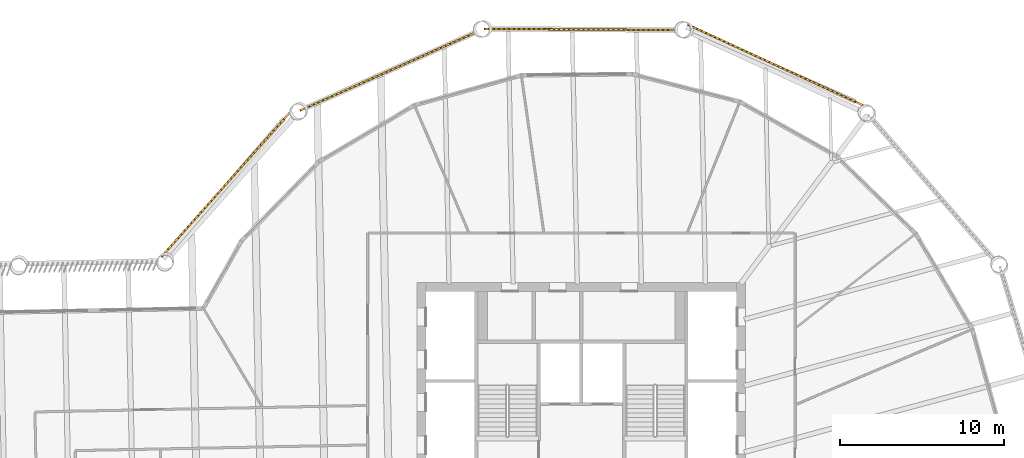
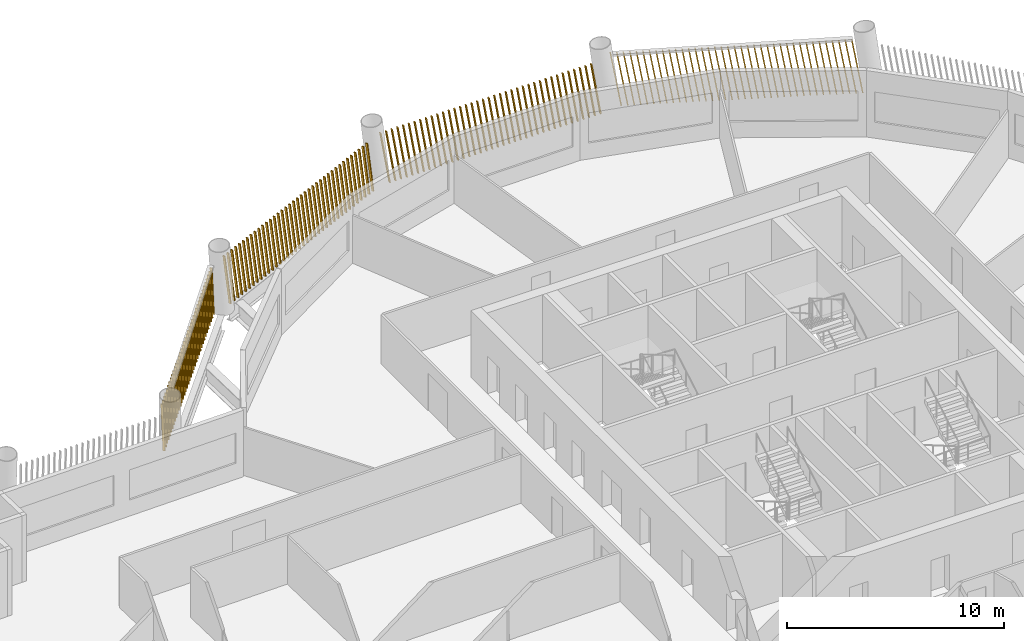
# One storey, part 14 of 15: 4 shading devices.
"""IFC4 building model written with IfcOpenShell, lengths in metres."""

from ifc_helpers import new_model, si_unit, direction, frame, frame_2d, origin, place, context, subcontext, project, spatial, rectangle, composite_profile, extrude, material, type_object, element, save


model = new_model("IFC4")

# Units and contexts
model_context = context("Model", 3, precision=1e-05, world=origin(), true_north=direction((0.0, 1.0)))
body_context = subcontext(model_context, "Body", "Model", "MODEL_VIEW")
ifc_project = project(units=[si_unit("LENGTHUNIT", "METRE"), si_unit("AREAUNIT", "SQUARE_METRE"), si_unit("VOLUMEUNIT", "CUBIC_METRE"), si_unit("PLANEANGLEUNIT", "RADIAN"), si_unit("MASSUNIT", "GRAM", prefix="KILO")], contexts=[model_context])

# Site, building, storey
site_placement = place(None, origin())
site = spatial("IfcSite", under=ifc_project, at=site_placement, CompositionType="ELEMENT")
building_placement = place(site_placement, origin())
building = spatial("IfcBuilding", under=site, at=building_placement, Name="Tarsis Ring Headquarters", CompositionType="ELEMENT")
storey_placement = place(building_placement, frame((0.0, 0.0, 290.300048828125)))
storey = spatial("IfcBuildingStorey", under=building, at=storey_placement, Name="L68", CompositionType="ELEMENT", Elevation=290.300048828125)

# Shading devices
ifc_material = material(Name="Terracotta baguette", Category="masonry")
shading_device_type = type_object("IfcShadingDeviceType", Name="Terracotta baguette screen", PredefinedType="USERDEFINED", material=ifc_material)
shading_device_1_placement = place(storey_placement, frame((17.1357421875, 23.785400390625, 0.0), z_axis=(0.0, 0.0, 1.0), x_axis=(-0.908433891831, 0.418005035159, 0.0)))
element("IfcShadingDevice", 1, at=shading_device_1_placement, inside=storey, type_object=shading_device_type, Name="Baguette screen L68-11", ObjectType="Terracotta baguette screen", PredefinedType="USERDEFINED", context=body_context, shape_type="SweptSolid", body=[
    extrude(composite_profile([rectangle(XDim=0.06005859375, YDim=0.1201171875, at=frame_2d((0.030029296875, 0.0))), rectangle(XDim=0.06005859375, YDim=0.1201171875, at=frame_2d((0.33251953125, 0.0))), rectangle(XDim=0.06005859375, YDim=0.1201171875, at=frame_2d((0.634765625, 0.0))), rectangle(XDim=0.06005859375, YDim=0.1201171875, at=frame_2d((0.937255859375, 0.0))), rectangle(XDim=0.06005859375, YDim=0.1201171875, at=frame_2d((1.239501953125, 0.0))), rectangle(XDim=0.06005859375, YDim=0.1201171875, at=frame_2d((1.5419921875, 0.0))), rectangle(XDim=0.06005859375, YDim=0.1201171875, at=frame_2d((1.844482421875, 0.0))), rectangle(XDim=0.06005859375, YDim=0.1201171875, at=frame_2d((2.146728515625, 0.0))), rectangle(XDim=0.06005859375, YDim=0.1201171875, at=frame_2d((2.44921875, 0.0))), rectangle(XDim=0.06005859375, YDim=0.1201171875, at=frame_2d((2.751708984375, 0.0))), rectangle(XDim=0.06005859375, YDim=0.1201171875, at=frame_2d((3.053955078125, 0.0))), rectangle(XDim=0.06005859375, YDim=0.1201171875, at=frame_2d((3.3564453125, 0.0))), rectangle(XDim=0.06005859375, YDim=0.1201171875, at=frame_2d((3.65869140625, 0.0))), rectangle(XDim=0.06005859375, YDim=0.1201171875, at=frame_2d((3.961181640625, 0.0))), rectangle(XDim=0.06005859375, YDim=0.1201171875, at=frame_2d((4.263671875, 0.0))), rectangle(XDim=0.06005859375, YDim=0.1201171875, at=frame_2d((4.56591796875, 0.0))), rectangle(XDim=0.06005859375, YDim=0.1201171875, at=frame_2d((4.868408203125, 0.0))), rectangle(XDim=0.06005859375, YDim=0.1201171875, at=frame_2d((5.1708984375, 0.0))), rectangle(XDim=0.06005859375, YDim=0.1201171875, at=frame_2d((5.47314453125, 0.0))), rectangle(XDim=0.06005859375, YDim=0.1201171875, at=frame_2d((5.775634765625, 0.0))), rectangle(XDim=0.06005859375, YDim=0.1201171875, at=frame_2d((6.077880859375, 0.0))), rectangle(XDim=0.06005859375, YDim=0.1201171875, at=frame_2d((6.38037109375, 0.0))), rectangle(XDim=0.06005859375, YDim=0.1201171875, at=frame_2d((6.682861328125, 0.0))), rectangle(XDim=0.06005859375, YDim=0.1201171875, at=frame_2d((6.985107421875, 0.0))), rectangle(XDim=0.06005859375, YDim=0.1201171875, at=frame_2d((7.28759765625, 0.0))), rectangle(XDim=0.06005859375, YDim=0.1201171875, at=frame_2d((7.590087890625, 0.0))), rectangle(XDim=0.06005859375, YDim=0.1201171875, at=frame_2d((7.892333984375, 0.0))), rectangle(XDim=0.06005859375, YDim=0.1201171875, at=frame_2d((8.19482421875, 0.0))), rectangle(XDim=0.06005859375, YDim=0.1201171875, at=frame_2d((8.4970703125, 0.0))), rectangle(XDim=0.06005859375, YDim=0.1201171875, at=frame_2d((8.799560546875, 0.0))), rectangle(XDim=0.06005859375, YDim=0.1201171875, at=frame_2d((9.10205078125, 0.0))), rectangle(XDim=0.06005859375, YDim=0.1201171875, at=frame_2d((9.404296875, 0.0))), rectangle(XDim=0.06005859375, YDim=0.1201171875, at=frame_2d((9.706787109375, 0.0))), rectangle(XDim=0.06005859375, YDim=0.1201171875, at=frame_2d((10.00927734375, 0.0))), rectangle(XDim=0.06005859375, YDim=0.1201171875, at=frame_2d((10.3115234375, 0.0))), rectangle(XDim=0.06005859375, YDim=0.1201171875, at=frame_2d((10.614013671875, 0.0))), rectangle(XDim=0.06005859375, YDim=0.1201171875, at=frame_2d((10.916259765625, 0.0))), rectangle(XDim=0.06005859375, YDim=0.1201171875, at=frame_2d((11.21875, 0.0)))]), origin(), (0.166816811767, 0.001456596136, 0.985986830358), 3.010009765625),
])
shading_device_2_placement = place(storey_placement, frame((5.805908203125, 28.359130859375, 0.0), z_axis=(0.0, 0.0, 1.0), x_axis=(-0.999978296727, 0.006380762219, 0.0)))
element("IfcShadingDevice", 2, at=shading_device_2_placement, inside=storey, type_object=shading_device_type, Name="Baguette screen L68-12", ObjectType="Terracotta baguette screen", PredefinedType="USERDEFINED", context=body_context, shape_type="SweptSolid", body=[
    extrude(composite_profile([rectangle(XDim=0.06005859375, YDim=0.1201171875, at=frame_2d((0.030029296875, 0.0))), rectangle(XDim=0.06005859375, YDim=0.1201171875, at=frame_2d((0.33251953125, 0.0))), rectangle(XDim=0.06005859375, YDim=0.1201171875, at=frame_2d((0.634765625, 0.0))), rectangle(XDim=0.06005859375, YDim=0.1201171875, at=frame_2d((0.937255859375, 0.0))), rectangle(XDim=0.06005859375, YDim=0.1201171875, at=frame_2d((1.239501953125, 0.0))), rectangle(XDim=0.06005859375, YDim=0.1201171875, at=frame_2d((1.5419921875, 0.0))), rectangle(XDim=0.06005859375, YDim=0.1201171875, at=frame_2d((1.844482421875, 0.0))), rectangle(XDim=0.06005859375, YDim=0.1201171875, at=frame_2d((2.146728515625, 0.0))), rectangle(XDim=0.06005859375, YDim=0.1201171875, at=frame_2d((2.44921875, 0.0))), rectangle(XDim=0.06005859375, YDim=0.1201171875, at=frame_2d((2.751708984375, 0.0))), rectangle(XDim=0.06005859375, YDim=0.1201171875, at=frame_2d((3.053955078125, 0.0))), rectangle(XDim=0.06005859375, YDim=0.1201171875, at=frame_2d((3.3564453125, 0.0))), rectangle(XDim=0.06005859375, YDim=0.1201171875, at=frame_2d((3.65869140625, 0.0))), rectangle(XDim=0.06005859375, YDim=0.1201171875, at=frame_2d((3.961181640625, 0.0))), rectangle(XDim=0.06005859375, YDim=0.1201171875, at=frame_2d((4.263671875, 0.0))), rectangle(XDim=0.06005859375, YDim=0.1201171875, at=frame_2d((4.56591796875, 0.0))), rectangle(XDim=0.06005859375, YDim=0.1201171875, at=frame_2d((4.868408203125, 0.0))), rectangle(XDim=0.06005859375, YDim=0.1201171875, at=frame_2d((5.1708984375, 0.0))), rectangle(XDim=0.06005859375, YDim=0.1201171875, at=frame_2d((5.47314453125, 0.0))), rectangle(XDim=0.06005859375, YDim=0.1201171875, at=frame_2d((5.775634765625, 0.0))), rectangle(XDim=0.06005859375, YDim=0.1201171875, at=frame_2d((6.077880859375, 0.0))), rectangle(XDim=0.06005859375, YDim=0.1201171875, at=frame_2d((6.38037109375, 0.0))), rectangle(XDim=0.06005859375, YDim=0.1201171875, at=frame_2d((6.682861328125, 0.0))), rectangle(XDim=0.06005859375, YDim=0.1201171875, at=frame_2d((6.985107421875, 0.0))), rectangle(XDim=0.06005859375, YDim=0.1201171875, at=frame_2d((7.28759765625, 0.0))), rectangle(XDim=0.06005859375, YDim=0.1201171875, at=frame_2d((7.590087890625, 0.0))), rectangle(XDim=0.06005859375, YDim=0.1201171875, at=frame_2d((7.892333984375, 0.0))), rectangle(XDim=0.06005859375, YDim=0.1201171875, at=frame_2d((8.19482421875, 0.0))), rectangle(XDim=0.06005859375, YDim=0.1201171875, at=frame_2d((8.4970703125, 0.0))), rectangle(XDim=0.06005859375, YDim=0.1201171875, at=frame_2d((8.799560546875, 0.0))), rectangle(XDim=0.06005859375, YDim=0.1201171875, at=frame_2d((9.10205078125, 0.0))), rectangle(XDim=0.06005859375, YDim=0.1201171875, at=frame_2d((9.404296875, 0.0))), rectangle(XDim=0.06005859375, YDim=0.1201171875, at=frame_2d((9.706787109375, 0.0))), rectangle(XDim=0.06005859375, YDim=0.1201171875, at=frame_2d((10.00927734375, 0.0))), rectangle(XDim=0.06005859375, YDim=0.1201171875, at=frame_2d((10.3115234375, 0.0))), rectangle(XDim=0.06005859375, YDim=0.1201171875, at=frame_2d((10.614013671875, 0.0))), rectangle(XDim=0.06005859375, YDim=0.1201171875, at=frame_2d((10.916259765625, 0.0))), rectangle(XDim=0.06005859375, YDim=0.1201171875, at=frame_2d((11.21875, 0.0)))]), origin(), (0.164703408679, 0.001435493368, 0.986342094067), 3.0087890625),
])
shading_device_3_placement = place(storey_placement, frame((-6.399658203125, 28.23095703125, 0.0), z_axis=(0.0, 0.0, 1.0), x_axis=(-0.913707787134, -0.406350377637, 0.0)))
element("IfcShadingDevice", 3, at=shading_device_3_placement, inside=storey, type_object=shading_device_type, Name="Baguette screen L68-13", ObjectType="Terracotta baguette screen", PredefinedType="USERDEFINED", context=body_context, shape_type="SweptSolid", body=[
    extrude(composite_profile([rectangle(XDim=0.06005859375, YDim=0.1201171875, at=frame_2d((0.030029296875, 0.0))), rectangle(XDim=0.06005859375, YDim=0.1201171875, at=frame_2d((0.33251953125, 0.0))), rectangle(XDim=0.06005859375, YDim=0.1201171875, at=frame_2d((0.634765625, 0.0))), rectangle(XDim=0.06005859375, YDim=0.1201171875, at=frame_2d((0.937255859375, 0.0))), rectangle(XDim=0.06005859375, YDim=0.1201171875, at=frame_2d((1.239501953125, 0.0))), rectangle(XDim=0.06005859375, YDim=0.1201171875, at=frame_2d((1.5419921875, 0.0))), rectangle(XDim=0.06005859375, YDim=0.1201171875, at=frame_2d((1.844482421875, 0.0))), rectangle(XDim=0.06005859375, YDim=0.1201171875, at=frame_2d((2.146728515625, 0.0))), rectangle(XDim=0.06005859375, YDim=0.1201171875, at=frame_2d((2.44921875, 0.0))), rectangle(XDim=0.06005859375, YDim=0.1201171875, at=frame_2d((2.751708984375, 0.0))), rectangle(XDim=0.06005859375, YDim=0.1201171875, at=frame_2d((3.053955078125, 0.0))), rectangle(XDim=0.06005859375, YDim=0.1201171875, at=frame_2d((3.3564453125, 0.0))), rectangle(XDim=0.06005859375, YDim=0.1201171875, at=frame_2d((3.65869140625, 0.0))), rectangle(XDim=0.06005859375, YDim=0.1201171875, at=frame_2d((3.961181640625, 0.0))), rectangle(XDim=0.06005859375, YDim=0.1201171875, at=frame_2d((4.263671875, 0.0))), rectangle(XDim=0.06005859375, YDim=0.1201171875, at=frame_2d((4.56591796875, 0.0))), rectangle(XDim=0.06005859375, YDim=0.1201171875, at=frame_2d((4.868408203125, 0.0))), rectangle(XDim=0.06005859375, YDim=0.1201171875, at=frame_2d((5.1708984375, 0.0))), rectangle(XDim=0.06005859375, YDim=0.1201171875, at=frame_2d((5.47314453125, 0.0))), rectangle(XDim=0.06005859375, YDim=0.1201171875, at=frame_2d((5.775634765625, 0.0))), rectangle(XDim=0.06005859375, YDim=0.1201171875, at=frame_2d((6.077880859375, 0.0))), rectangle(XDim=0.06005859375, YDim=0.1201171875, at=frame_2d((6.38037109375, 0.0))), rectangle(XDim=0.06005859375, YDim=0.1201171875, at=frame_2d((6.682861328125, 0.0))), rectangle(XDim=0.06005859375, YDim=0.1201171875, at=frame_2d((6.985107421875, 0.0))), rectangle(XDim=0.06005859375, YDim=0.1201171875, at=frame_2d((7.28759765625, 0.0))), rectangle(XDim=0.06005859375, YDim=0.1201171875, at=frame_2d((7.590087890625, 0.0))), rectangle(XDim=0.06005859375, YDim=0.1201171875, at=frame_2d((7.892333984375, 0.0))), rectangle(XDim=0.06005859375, YDim=0.1201171875, at=frame_2d((8.19482421875, 0.0))), rectangle(XDim=0.06005859375, YDim=0.1201171875, at=frame_2d((8.4970703125, 0.0))), rectangle(XDim=0.06005859375, YDim=0.1201171875, at=frame_2d((8.799560546875, 0.0))), rectangle(XDim=0.06005859375, YDim=0.1201171875, at=frame_2d((9.10205078125, 0.0))), rectangle(XDim=0.06005859375, YDim=0.1201171875, at=frame_2d((9.404296875, 0.0))), rectangle(XDim=0.06005859375, YDim=0.1201171875, at=frame_2d((9.706787109375, 0.0))), rectangle(XDim=0.06005859375, YDim=0.1201171875, at=frame_2d((10.00927734375, 0.0))), rectangle(XDim=0.06005859375, YDim=0.1201171875, at=frame_2d((10.3115234375, 0.0))), rectangle(XDim=0.06005859375, YDim=0.1201171875, at=frame_2d((10.614013671875, 0.0))), rectangle(XDim=0.06005859375, YDim=0.1201171875, at=frame_2d((10.916259765625, 0.0))), rectangle(XDim=0.06005859375, YDim=0.1201171875, at=frame_2d((11.21875, 0.0)))]), origin(), (0.164702149113, 0.001438074805, 0.986342300633), 3.0087890625),
])
shading_device_4_placement = place(storey_placement, frame((-17.747314453125, 23.332763671875, 0.0), z_axis=(0.0, 0.0, 1.0), x_axis=(-0.664981009224, -0.746869234943, 0.0)))
element("IfcShadingDevice", 4, at=shading_device_4_placement, inside=storey, type_object=shading_device_type, Name="Baguette screen L68-14", ObjectType="Terracotta baguette screen", PredefinedType="USERDEFINED", context=body_context, shape_type="SweptSolid", body=[
    extrude(composite_profile([rectangle(XDim=0.06005859375, YDim=0.1201171875, at=frame_2d((0.030029296875, 0.0))), rectangle(XDim=0.06005859375, YDim=0.1201171875, at=frame_2d((0.33251953125, 0.0))), rectangle(XDim=0.06005859375, YDim=0.1201171875, at=frame_2d((0.634765625, 0.0))), rectangle(XDim=0.06005859375, YDim=0.1201171875, at=frame_2d((0.937255859375, 0.0))), rectangle(XDim=0.06005859375, YDim=0.1201171875, at=frame_2d((1.239501953125, 0.0))), rectangle(XDim=0.06005859375, YDim=0.1201171875, at=frame_2d((1.5419921875, 0.0))), rectangle(XDim=0.06005859375, YDim=0.1201171875, at=frame_2d((1.844482421875, 0.0))), rectangle(XDim=0.06005859375, YDim=0.1201171875, at=frame_2d((2.146728515625, 0.0))), rectangle(XDim=0.06005859375, YDim=0.1201171875, at=frame_2d((2.44921875, 0.0))), rectangle(XDim=0.06005859375, YDim=0.1201171875, at=frame_2d((2.751708984375, 0.0))), rectangle(XDim=0.06005859375, YDim=0.1201171875, at=frame_2d((3.053955078125, 0.0))), rectangle(XDim=0.06005859375, YDim=0.1201171875, at=frame_2d((3.3564453125, 0.0))), rectangle(XDim=0.06005859375, YDim=0.1201171875, at=frame_2d((3.65869140625, 0.0))), rectangle(XDim=0.06005859375, YDim=0.1201171875, at=frame_2d((3.961181640625, 0.0))), rectangle(XDim=0.06005859375, YDim=0.1201171875, at=frame_2d((4.263671875, 0.0))), rectangle(XDim=0.06005859375, YDim=0.1201171875, at=frame_2d((4.56591796875, 0.0))), rectangle(XDim=0.06005859375, YDim=0.1201171875, at=frame_2d((4.868408203125, 0.0))), rectangle(XDim=0.06005859375, YDim=0.1201171875, at=frame_2d((5.1708984375, 0.0))), rectangle(XDim=0.06005859375, YDim=0.1201171875, at=frame_2d((5.47314453125, 0.0))), rectangle(XDim=0.06005859375, YDim=0.1201171875, at=frame_2d((5.775634765625, 0.0))), rectangle(XDim=0.06005859375, YDim=0.1201171875, at=frame_2d((6.077880859375, 0.0))), rectangle(XDim=0.06005859375, YDim=0.1201171875, at=frame_2d((6.38037109375, 0.0))), rectangle(XDim=0.06005859375, YDim=0.1201171875, at=frame_2d((6.682861328125, 0.0))), rectangle(XDim=0.06005859375, YDim=0.1201171875, at=frame_2d((6.985107421875, 0.0))), rectangle(XDim=0.06005859375, YDim=0.1201171875, at=frame_2d((7.28759765625, 0.0))), rectangle(XDim=0.06005859375, YDim=0.1201171875, at=frame_2d((7.590087890625, 0.0))), rectangle(XDim=0.06005859375, YDim=0.1201171875, at=frame_2d((7.892333984375, 0.0))), rectangle(XDim=0.06005859375, YDim=0.1201171875, at=frame_2d((8.19482421875, 0.0))), rectangle(XDim=0.06005859375, YDim=0.1201171875, at=frame_2d((8.4970703125, 0.0))), rectangle(XDim=0.06005859375, YDim=0.1201171875, at=frame_2d((8.799560546875, 0.0))), rectangle(XDim=0.06005859375, YDim=0.1201171875, at=frame_2d((9.10205078125, 0.0))), rectangle(XDim=0.06005859375, YDim=0.1201171875, at=frame_2d((9.404296875, 0.0))), rectangle(XDim=0.06005859375, YDim=0.1201171875, at=frame_2d((9.706787109375, 0.0))), rectangle(XDim=0.06005859375, YDim=0.1201171875, at=frame_2d((10.00927734375, 0.0))), rectangle(XDim=0.06005859375, YDim=0.1201171875, at=frame_2d((10.3115234375, 0.0))), rectangle(XDim=0.06005859375, YDim=0.1201171875, at=frame_2d((10.614013671875, 0.0))), rectangle(XDim=0.06005859375, YDim=0.1201171875, at=frame_2d((10.916259765625, 0.0))), rectangle(XDim=0.06005859375, YDim=0.1201171875, at=frame_2d((11.21875, 0.0)))]), origin(), (0.16681926056, 0.001453561728, 0.985986420527), 3.010009765625),
])

save(model, "model.ifc")
